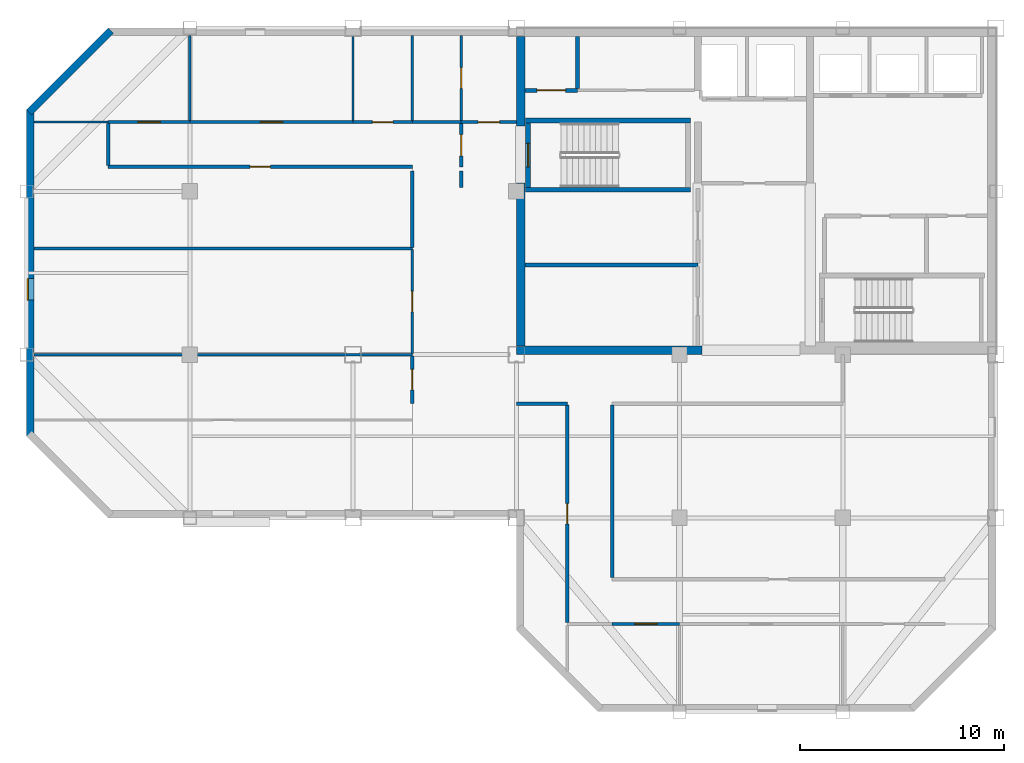
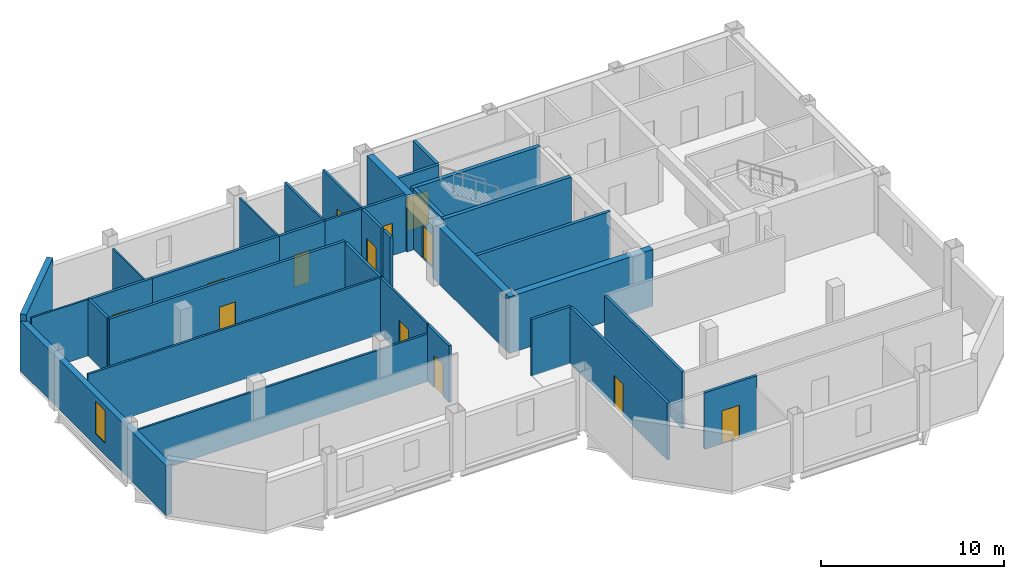
# One storey, part 2 of 7: 34 walls, 13 doors, 1 window, 14 openings.
"""IFC4 building model written with IfcOpenShell, lengths in metres."""

from ifc_helpers import new_model, si_unit, direction, frame, frame_2d, origin, place, context, subcontext, project, spatial, rectangle, extrude, material, layer, layer_set, type_object, element, fill, save


model = new_model("IFC4")

# Units and contexts
model_context = context("Model", 3, precision=1e-05, world=origin(), true_north=direction((0.0, 1.0)))
body_context = subcontext(model_context, "Body", "Model", "MODEL_VIEW")
ifc_project = project(units=[si_unit("LENGTHUNIT", "METRE"), si_unit("AREAUNIT", "SQUARE_METRE"), si_unit("VOLUMEUNIT", "CUBIC_METRE"), si_unit("PLANEANGLEUNIT", "RADIAN"), si_unit("MASSUNIT", "GRAM", prefix="KILO")], contexts=[model_context])

# Site, building, storey
site_placement = place(None, origin())
site = spatial("IfcSite", under=ifc_project, at=site_placement, CompositionType="ELEMENT")
building_placement = place(site_placement, origin())
building = spatial("IfcBuilding", under=site, at=building_placement, Name="Qianrong Seaharbour Tower", CompositionType="ELEMENT")
storey_placement = place(building_placement, frame((0.0, 0.0, 311.199951171875)))
storey = spatial("IfcBuildingStorey", under=building, at=storey_placement, Name="L75", CompositionType="ELEMENT", Elevation=311.199951171875)

# Walls
ifc_material_1 = material(Name="Concrete C50/60", Category="concrete")
ifc_layer_1 = layer(ifc_material_1, 0.419921875)
ifc_layer_set_1 = layer_set([ifc_layer_1], Name="Concrete C50/60")
wall_type_1 = type_object("IfcWallType", Name="WALL-CORE-420", PredefinedType="SHEAR", material=ifc_layer_set_1)
wall_1_placement = place(storey_placement, frame((40.7099609375, 36.419921875, 0.0), z_axis=(0.0, 0.0, 1.0), x_axis=(0.0, 1.0, 0.0)))
element("IfcWall", 1, at=wall_1_placement, inside=storey, type_object=wall_type_1, Name="L75 West Core Shear Wall South", PredefinedType="SHEAR", context=body_context, shape_type="SweptSolid", body=[
    extrude(rectangle(XDim=7.97998046875, YDim=0.419921875, at=frame_2d((3.989990234375, 0.0))), origin(), (0.0, 0.0, 1.0), 3.78515625),
])
wall_2_placement = place(storey_placement, frame((40.7099609375, 47.199951171875, 0.0), z_axis=(0.0, 0.0, 1.0), x_axis=(0.0, 1.0, 0.0)))
element("IfcWall", 2, at=wall_2_placement, inside=storey, type_object=wall_type_1, Name="L75 West Core Shear Wall North", PredefinedType="SHEAR", context=body_context, shape_type="SweptSolid", body=[
    extrude(rectangle(XDim=4.380126953125, YDim=0.419921875, at=frame_2d((2.18994140625, 0.0))), origin(), (0.0, 0.0, 1.0), 3.78515625),
])
wall_3_placement = place(storey_placement, frame((40.5, 36.2099609375, 0.0), z_axis=(0.0, 0.0, 1.0), x_axis=(1.0, 0.0, 0.0)))
element("IfcWall", 3, at=wall_3_placement, inside=storey, type_object=wall_type_1, Name="L75 South Core Shear Wall S1", PredefinedType="SHEAR", context=body_context, shape_type="SweptSolid", body=[
    extrude(rectangle(XDim=9.10009765625, YDim=0.419921875, at=frame_2d((4.550048828125, 0.0))), origin(), (0.0, 0.0, 1.0), 3.78515625),
])

# Wall, opening, door
ifc_material_2 = material(Name="Fire-rated acoustic gypsum board partition")
ifc_layer_2 = layer(ifc_material_2, 0.1650390625)
ifc_layer_set_2 = layer_set([ifc_layer_2], Name="Fire-rated acoustic gypsum board partition")
wall_type_2 = type_object("IfcWallType", Name="WALL-CORR-PART-165", PredefinedType="PARTITIONING", material=ifc_layer_set_2)
wall_4_placement = place(storey_placement, frame((37.800048828125, 47.39990234375, 0.0), z_axis=(0.0, 0.0, 1.0), x_axis=(1.0, 0.0, 0.0)))
wall_4 = element("IfcWall", 4, at=wall_4_placement, inside=storey, type_object=wall_type_2, Name="L75 Interior Partition Wall 001", PredefinedType="PARTITIONING", context=body_context, shape_type="SweptSolid", body=[
    extrude(rectangle(XDim=2.699951171875, YDim=0.1650390625, at=frame_2d((1.35009765625, 0.0))), origin(), (0.0, 0.0, 1.0), 3.78515625),
])
opening_1_placement = place(wall_4_placement, frame((0.824951171875, 0.0, 0.0)))
opening_1 = element("IfcOpeningElement", 5, at=opening_1_placement, cuts=wall_4, Name="Opening DC-01", PredefinedType="OPENING", context=body_context, shape_type="SweptSolid", body=[
    extrude(rectangle(XDim=1.050048828125, YDim=2.14990234375, at=frame_2d((0.52490234375, 1.074951171875))), frame((0.0, 0.092529296875, 0.0), z_axis=(0.0, -1.0, 0.0), x_axis=(1.0, 0.0, 0.0)), (0.0, 0.0, 1.0), 0.18505859375),
])
ifc_material_3 = material(Name="Acoustic timber and galvanized steel fire door assembly", Category="steel")
door_type_1 = type_object("IfcDoorType", Name="DOOR-CORR-FD60-1050x2150", OperationType="NOTDEFINED", PredefinedType="DOOR", material=ifc_material_3)
door_1_placement = place(opening_1_placement, origin())
door_1 = element("IfcDoor", 6, at=door_1_placement, inside=storey, type_object=door_type_1, Name="L75 Smokeproof Stair Vestibule ST-1 Door", OperationType="SINGLE_SWING_RIGHT", OverallHeight=2.14990234375, OverallWidth=1.050048828125, PredefinedType="DOOR", context=body_context, shape_type="SweptSolid", body=[
    extrude(rectangle(XDim=1.050048828125, YDim=2.14990234375, at=frame_2d((0.52490234375, 1.074951171875))), frame((0.0, 0.02490234375, 0.0), z_axis=(0.0, -1.0, 0.0), x_axis=(1.0, 0.0, 0.0)), (0.0, 0.0, 1.0), 0.050048828125),
])
fill(opening_1, door_1)

wall_5_placement = place(storey_placement, frame((37.800048828125, 45.199951171875, 0.0), z_axis=(0.0, 0.0, 1.0), x_axis=(0.0, 1.0, 0.0)))
wall_5 = element("IfcWall", 7, at=wall_5_placement, inside=storey, type_object=wall_type_2, Name="L75 Interior Partition Wall 002", PredefinedType="PARTITIONING", context=body_context, shape_type="SweptSolid", body=[
    extrude(rectangle(XDim=2.12548828125, YDim=0.1650390625, at=frame_2d((1.062744140625, 0.0))), origin(), (0.0, 0.0, 1.0), 3.78515625),
])
opening_2_placement = place(wall_5_placement, frame((0.537841796875, 0.0, 0.0)))
opening_2 = element("IfcOpeningElement", 8, at=opening_2_placement, cuts=wall_5, Name="Opening DC-01", PredefinedType="OPENING", context=body_context, shape_type="SweptSolid", body=[
    extrude(rectangle(XDim=1.050048828125, YDim=2.14990234375, at=frame_2d((0.52490234375, 1.074951171875))), frame((0.0, 0.092529296875, 0.0), z_axis=(0.0, -1.0, 0.0), x_axis=(1.0, 0.0, 0.0)), (0.0, 0.0, 1.0), 0.18505859375),
])
door_2_placement = place(opening_2_placement, origin())
door_2 = element("IfcDoor", 9, at=door_2_placement, inside=storey, type_object=door_type_1, Name="L75 Smokeproof Stair Vestibule ST-1 Door", OperationType="SINGLE_SWING_LEFT", OverallHeight=2.14990234375, OverallWidth=1.050048828125, PredefinedType="DOOR", context=body_context, shape_type="SweptSolid", body=[
    extrude(rectangle(XDim=1.050048828125, YDim=2.14990234375, at=frame_2d((0.52490234375, 1.074951171875))), frame((0.0, 0.02490234375, 0.0), z_axis=(0.0, -1.0, 0.0), x_axis=(1.0, 0.0, 0.0)), (0.0, 0.0, 1.0), 0.050048828125),
])
fill(opening_2, door_2)

# Wall
wall_6_placement = place(storey_placement, frame((37.800048828125, 44.199951171875, 0.0), z_axis=(0.0, 0.0, 1.0), x_axis=(0.0, 1.0, 0.0)))
element("IfcWall", 10, at=wall_6_placement, inside=storey, type_object=wall_type_2, Name="L75 Interior Partition Wall 003", PredefinedType="PARTITIONING", context=body_context, shape_type="SweptSolid", body=[
    extrude(rectangle(XDim=0.800048828125, YDim=0.1650390625, at=frame_2d((0.39990234375, 0.0))), origin(), (0.0, 0.0, 1.0), 3.78515625),
])

# Wall, opening, door
wall_7_placement = place(storey_placement, frame((20.5, 47.39990234375, 0.0), z_axis=(0.0, 0.0, 1.0), x_axis=(1.0, 0.0, 0.0)))
wall_7 = element("IfcWall", 11, at=wall_7_placement, inside=storey, type_object=wall_type_2, Name="L75 Interior Partition Wall 018", PredefinedType="PARTITIONING", context=body_context, shape_type="SweptSolid", body=[
    extrude(rectangle(XDim=4.0, YDim=0.1650390625, at=frame_2d((2.0, 0.0))), origin(), (0.0, 0.0, 1.0), 3.78515625),
])
opening_3_placement = place(wall_7_placement, frame((1.449951171875, 0.0, 0.0)))
opening_3 = element("IfcOpeningElement", 12, at=opening_3_placement, cuts=wall_7, Name="Opening DM-01", PredefinedType="OPENING", context=body_context, shape_type="SweptSolid", body=[
    extrude(rectangle(XDim=1.10009765625, YDim=2.199951171875, at=frame_2d((0.550048828125, 1.10009765625))), frame((0.0, 0.092529296875, 0.0), z_axis=(0.0, -1.0, 0.0), x_axis=(1.0, 0.0, 0.0)), (0.0, 0.0, 1.0), 0.18505859375),
])
door_type_2 = type_object("IfcDoorType", Name="DOOR-MEET-1100x2200", OperationType="NOTDEFINED", PredefinedType="DOOR", material=ifc_material_3)
door_3_placement = place(opening_3_placement, origin())
door_3 = element("IfcDoor", 13, at=door_3_placement, inside=storey, type_object=door_type_2, Name="L75 Boardroom 1 Door", OperationType="SINGLE_SWING_LEFT", OverallHeight=2.199951171875, OverallWidth=1.10009765625, PredefinedType="DOOR", context=body_context, shape_type="SweptSolid", body=[
    extrude(rectangle(XDim=1.10009765625, YDim=2.199951171875, at=frame_2d((0.550048828125, 1.10009765625))), frame((0.0, 0.02490234375, 0.0), z_axis=(0.0, -1.0, 0.0), x_axis=(1.0, 0.0, 0.0)), (0.0, 0.0, 1.0), 0.050048828125),
])
fill(opening_3, door_3)

wall_8_placement = place(storey_placement, frame((24.5, 47.39990234375, 0.0), z_axis=(0.0, 0.0, 1.0), x_axis=(1.0, 0.0, 0.0)))
wall_8 = element("IfcWall", 14, at=wall_8_placement, inside=storey, type_object=wall_type_2, Name="L75 Interior Partition Wall 019", PredefinedType="PARTITIONING", context=body_context, shape_type="SweptSolid", body=[
    extrude(rectangle(XDim=8.0, YDim=0.1650390625, at=frame_2d((4.0, 0.0))), origin(), (0.0, 0.0, 1.0), 3.78515625),
])
opening_4_placement = place(wall_8_placement, frame((3.449951171875, 0.0, 0.0)))
opening_4 = element("IfcOpeningElement", 15, at=opening_4_placement, cuts=wall_8, Name="Opening DM-01", PredefinedType="OPENING", context=body_context, shape_type="SweptSolid", body=[
    extrude(rectangle(XDim=1.10009765625, YDim=2.199951171875, at=frame_2d((0.550048828125, 1.10009765625))), frame((0.0, 0.092529296875, 0.0), z_axis=(0.0, -1.0, 0.0), x_axis=(1.0, 0.0, 0.0)), (0.0, 0.0, 1.0), 0.18505859375),
])
door_4_placement = place(opening_4_placement, origin())
door_4 = element("IfcDoor", 16, at=door_4_placement, inside=storey, type_object=door_type_2, Name="L75 Meeting Room 2 Door", OperationType="SINGLE_SWING_RIGHT", OverallHeight=2.199951171875, OverallWidth=1.10009765625, PredefinedType="DOOR", context=body_context, shape_type="SweptSolid", body=[
    extrude(rectangle(XDim=1.10009765625, YDim=2.199951171875, at=frame_2d((0.550048828125, 1.10009765625))), frame((0.0, 0.02490234375, 0.0), z_axis=(0.0, -1.0, 0.0), x_axis=(1.0, 0.0, 0.0)), (0.0, 0.0, 1.0), 0.050048828125),
])
fill(opening_4, door_4)

wall_9_placement = place(storey_placement, frame((32.5, 47.39990234375, 0.0), z_axis=(0.0, 0.0, 1.0), x_axis=(1.0, 0.0, 0.0)))
wall_9 = element("IfcWall", 17, at=wall_9_placement, inside=storey, type_object=wall_type_2, Name="L75 Interior Partition Wall 020", PredefinedType="PARTITIONING", context=body_context, shape_type="SweptSolid", body=[
    extrude(rectangle(XDim=2.89990234375, YDim=0.1650390625, at=frame_2d((1.449951171875, 0.0))), origin(), (0.0, 0.0, 1.0), 3.78515625),
])
opening_5_placement = place(wall_9_placement, frame((0.949951171875, 0.0, 0.0)))
opening_5 = element("IfcOpeningElement", 18, at=opening_5_placement, cuts=wall_9, Name="Opening DO-01", PredefinedType="OPENING", context=body_context, shape_type="SweptSolid", body=[
    extrude(rectangle(XDim=1.0, YDim=2.14990234375, at=frame_2d((0.5, 1.074951171875))), frame((0.0, 0.092529296875, 0.0), z_axis=(0.0, -1.0, 0.0), x_axis=(1.0, 0.0, 0.0)), (0.0, 0.0, 1.0), 0.18505859375),
])
door_type_3 = type_object("IfcDoorType", Name="DOOR-OFFICE-1000x2150", OperationType="NOTDEFINED", PredefinedType="DOOR", material=ifc_material_3)
door_5_placement = place(opening_5_placement, origin())
door_5 = element("IfcDoor", 19, at=door_5_placement, inside=storey, type_object=door_type_3, Name="L75 Project Library 3 Door", OperationType="SINGLE_SWING_LEFT", OverallHeight=2.14990234375, OverallWidth=1.0, PredefinedType="DOOR", context=body_context, shape_type="SweptSolid", body=[
    extrude(rectangle(XDim=1.0, YDim=2.14990234375, at=frame_2d((0.5, 1.074951171875))), frame((0.0, 0.02490234375, 0.0), z_axis=(0.0, -1.0, 0.0), x_axis=(1.0, 0.0, 0.0)), (0.0, 0.0, 1.0), 0.050048828125),
])
fill(opening_5, door_5)

wall_10_placement = place(storey_placement, frame((35.39990234375, 45.199951171875, 0.0), z_axis=(0.0, 0.0, 1.0), x_axis=(-1.0, 0.0, 0.0)))
wall_10 = element("IfcWall", 20, at=wall_10_placement, inside=storey, type_object=wall_type_2, Name="L75 Interior Partition Wall 021", PredefinedType="PARTITIONING", context=body_context, shape_type="SweptSolid", body=[
    extrude(rectangle(XDim=14.89990234375, YDim=0.1650390625, at=frame_2d((7.449951171875, 0.0))), origin(), (0.0, 0.0, 1.0), 3.78515625),
])
opening_6_placement = place(wall_10_placement, frame((6.949951171875, 0.0, 0.0)))
opening_6 = element("IfcOpeningElement", 21, at=opening_6_placement, cuts=wall_10, Name="Opening DO-01", PredefinedType="OPENING", context=body_context, shape_type="SweptSolid", body=[
    extrude(rectangle(XDim=1.0, YDim=2.14990234375, at=frame_2d((0.5, 1.074951171875))), frame((0.0, 0.092529296875, 0.0), z_axis=(0.0, -1.0, 0.0), x_axis=(1.0, 0.0, 0.0)), (0.0, 0.0, 1.0), 0.18505859375),
])
door_6_placement = place(opening_6_placement, origin())
door_6 = element("IfcDoor", 22, at=door_6_placement, inside=storey, type_object=door_type_3, Name="L75 Harbour Lecture Hall 4 Door", OperationType="SINGLE_SWING_LEFT", OverallHeight=2.14990234375, OverallWidth=1.0, PredefinedType="DOOR", context=body_context, shape_type="SweptSolid", body=[
    extrude(rectangle(XDim=1.0, YDim=2.14990234375, at=frame_2d((0.5, 1.074951171875))), frame((0.0, 0.02490234375, 0.0), z_axis=(0.0, -1.0, 0.0), x_axis=(1.0, 0.0, 0.0)), (0.0, 0.0, 1.0), 0.050048828125),
])
fill(opening_6, door_6)

# Wall
wall_11_placement = place(storey_placement, frame((20.5, 45.2744140625, 0.0), z_axis=(0.0, 0.0, 1.0), x_axis=(0.0, 1.0, 0.0)))
element("IfcWall", 23, at=wall_11_placement, inside=storey, type_object=wall_type_2, Name="L75 Interior Partition Wall 022", PredefinedType="PARTITIONING", context=body_context, shape_type="SweptSolid", body=[
    extrude(rectangle(XDim=2.051025390625, YDim=0.1650390625, at=frame_2d((1.025390625, 0.0))), origin(), (0.0, 0.0, 1.0), 3.78515625),
])

# Wall, opening, door
wall_12_placement = place(storey_placement, frame((35.39990234375, 33.60009765625, 0.0), z_axis=(0.0, 0.0, 1.0), x_axis=(0.0, 1.0, 0.0)))
wall_12 = element("IfcWall", 24, at=wall_12_placement, inside=storey, type_object=wall_type_2, Name="L75 Interior Partition Wall 023", PredefinedType="PARTITIONING", context=body_context, shape_type="SweptSolid", body=[
    extrude(rectangle(XDim=2.343017578125, YDim=0.1650390625, at=frame_2d((1.17138671875, 0.0))), origin(), (0.0, 0.0, 1.0), 3.78515625),
])
opening_7_placement = place(wall_12_placement, frame((0.67138671875, 0.0, 0.0)))
opening_7 = element("IfcOpeningElement", 25, at=opening_7_placement, cuts=wall_12, Name="Opening DO-01", PredefinedType="OPENING", context=body_context, shape_type="SweptSolid", body=[
    extrude(rectangle(XDim=1.0, YDim=2.14990234375, at=frame_2d((0.5, 1.074951171875))), frame((0.0, 0.092529296875, 0.0), z_axis=(0.0, -1.0, 0.0), x_axis=(1.0, 0.0, 0.0)), (0.0, 0.0, 1.0), 0.18505859375),
])
door_7_placement = place(opening_7_placement, origin())
door_7 = element("IfcDoor", 26, at=door_7_placement, inside=storey, type_object=door_type_3, Name="L75 Division Conference Gallery 2 Door", OperationType="SINGLE_SWING_LEFT", OverallHeight=2.14990234375, OverallWidth=1.0, PredefinedType="DOOR", context=body_context, shape_type="SweptSolid", body=[
    extrude(rectangle(XDim=1.0, YDim=2.14990234375, at=frame_2d((0.5, 1.074951171875))), frame((0.0, 0.02490234375, 0.0), z_axis=(0.0, -1.0, 0.0), x_axis=(1.0, 0.0, 0.0)), (0.0, 0.0, 1.0), 0.050048828125),
])
fill(opening_7, door_7)

# Walls
wall_13_placement = place(storey_placement, frame((35.39990234375, 41.257080078125, 0.0), z_axis=(0.0, 0.0, 1.0), x_axis=(0.0, 1.0, 0.0)))
element("IfcWall", 27, at=wall_13_placement, inside=storey, type_object=wall_type_2, Name="L75 Interior Partition Wall 025", PredefinedType="PARTITIONING", context=body_context, shape_type="SweptSolid", body=[
    extrude(rectangle(XDim=3.742919921875, YDim=0.1650390625, at=frame_2d((1.87158203125, 0.0))), origin(), (0.0, 0.0, 1.0), 3.78515625),
])
wall_14_placement = place(storey_placement, frame((43.0, 33.60009765625, 0.0), z_axis=(0.0, 0.0, 1.0), x_axis=(-1.0, 0.0, 0.0)))
element("IfcWall", 28, at=wall_14_placement, inside=storey, type_object=wall_type_2, Name="L75 Interior Partition Wall 028", PredefinedType="PARTITIONING", context=body_context, shape_type="SweptSolid", body=[
    extrude(rectangle(XDim=2.5, YDim=0.1650390625, at=frame_2d((1.25, 0.0))), origin(), (0.0, 0.0, 1.0), 3.78515625),
])
wall_15_placement = place(storey_placement, frame((45.199951171875, 33.525390625, 0.0), z_axis=(0.0, 0.0, 1.0), x_axis=(0.0, -1.0, 0.0)))
element("IfcWall", 29, at=wall_15_placement, inside=storey, type_object=wall_type_2, Name="L75 Interior Partition Wall 029", PredefinedType="PARTITIONING", context=body_context, shape_type="SweptSolid", body=[
    extrude(rectangle(XDim=8.450927734375, YDim=0.1650390625, at=frame_2d((4.2255859375, 0.0))), origin(), (0.0, 0.0, 1.0), 3.78515625),
])

# Wall, opening, door
wall_16_placement = place(storey_placement, frame((43.0, 22.87451171875, 0.0), z_axis=(0.0, 0.0, 1.0), x_axis=(0.0, 1.0, 0.0)))
wall_16 = element("IfcWall", 30, at=wall_16_placement, inside=storey, type_object=wall_type_2, Name="L75 Interior Partition Wall 030", PredefinedType="PARTITIONING", context=body_context, shape_type="SweptSolid", body=[
    extrude(rectangle(XDim=10.65087890625, YDim=0.1650390625, at=frame_2d((5.325439453125, 0.0))), origin(), (0.0, 0.0, 1.0), 3.78515625),
])
opening_8_placement = place(wall_16_placement, frame((4.825439453125, 0.0, 0.0)))
opening_8 = element("IfcOpeningElement", 31, at=opening_8_placement, cuts=wall_16, Name="Opening DO-01", PredefinedType="OPENING", context=body_context, shape_type="SweptSolid", body=[
    extrude(rectangle(XDim=1.0, YDim=2.14990234375, at=frame_2d((0.5, 1.074951171875))), frame((0.0, 0.092529296875, 0.0), z_axis=(0.0, -1.0, 0.0), x_axis=(1.0, 0.0, 0.0)), (0.0, 0.0, 1.0), 0.18505859375),
])
door_8_placement = place(opening_8_placement, origin())
door_8 = element("IfcDoor", 32, at=door_8_placement, inside=storey, type_object=door_type_3, Name="L75 West Spine Open-Plan Office Door", OperationType="SINGLE_SWING_RIGHT", OverallHeight=2.14990234375, OverallWidth=1.0, PredefinedType="DOOR", context=body_context, shape_type="SweptSolid", body=[
    extrude(rectangle(XDim=1.0, YDim=2.14990234375, at=frame_2d((0.5, 1.074951171875))), frame((0.0, 0.02490234375, 0.0), z_axis=(0.0, -1.0, 0.0), x_axis=(1.0, 0.0, 0.0)), (0.0, 0.0, 1.0), 0.050048828125),
])
fill(opening_8, door_8)

wall_17_placement = place(storey_placement, frame((48.5, 22.800048828125, 0.0), z_axis=(0.0, 0.0, 1.0), x_axis=(-1.0, 0.0, 0.0)))
wall_17 = element("IfcWall", 33, at=wall_17_placement, inside=storey, type_object=wall_type_2, Name="L75 Interior Partition Wall 033", PredefinedType="PARTITIONING", context=body_context, shape_type="SweptSolid", body=[
    extrude(rectangle(XDim=3.300048828125, YDim=0.1650390625, at=frame_2d((1.64990234375, 0.0))), origin(), (0.0, 0.0, 1.0), 3.78515625),
])
opening_9_placement = place(wall_17_placement, frame((1.10009765625, 0.0, 0.0)))
opening_9 = element("IfcOpeningElement", 34, at=opening_9_placement, cuts=wall_17, Name="Opening DM-01", PredefinedType="OPENING", context=body_context, shape_type="SweptSolid", body=[
    extrude(rectangle(XDim=1.10009765625, YDim=2.199951171875, at=frame_2d((0.550048828125, 1.10009765625))), frame((0.0, 0.092529296875, 0.0), z_axis=(0.0, -1.0, 0.0), x_axis=(1.0, 0.0, 0.0)), (0.0, 0.0, 1.0), 0.18505859375),
])
door_9_placement = place(opening_9_placement, origin())
door_9 = element("IfcDoor", 35, at=door_9_placement, inside=storey, type_object=door_type_2, Name="L75 Maritime Seminar Room 1 Door", OperationType="SINGLE_SWING_RIGHT", OverallHeight=2.199951171875, OverallWidth=1.10009765625, PredefinedType="DOOR", context=body_context, shape_type="SweptSolid", body=[
    extrude(rectangle(XDim=1.10009765625, YDim=2.199951171875, at=frame_2d((0.550048828125, 1.10009765625))), frame((0.0, 0.02490234375, 0.0), z_axis=(0.0, -1.0, 0.0), x_axis=(1.0, 0.0, 0.0)), (0.0, 0.0, 1.0), 0.050048828125),
])
fill(opening_9, door_9)

# Walls
ifc_material_4 = material(Name="Demountable aluminium-framed acoustic office partition", Category="aluminium")
ifc_layer_3 = layer(ifc_material_4, 0.110107421875)
ifc_layer_set_3 = layer_set([ifc_layer_3], Name="Demountable aluminium-framed acoustic office partition")
wall_type_3 = type_object("IfcWallType", Name="WALL-DEMOUNT-110", PredefinedType="MOVABLE", material=ifc_layer_set_3)
wall_18_placement = place(storey_placement, frame((24.5, 51.64794921875, 0.0), z_axis=(0.0, 0.0, 1.0), x_axis=(0.0, -1.0, 0.0)))
element("IfcWall", 36, at=wall_18_placement, inside=storey, type_object=wall_type_3, Name="L75 Interior Partition Wall 037", PredefinedType="MOVABLE", context=body_context, shape_type="SweptSolid", body=[
    extrude(rectangle(XDim=4.17333984375, YDim=0.110107421875, at=frame_2d((2.086669921875, 0.0))), origin(), (0.0, 0.0, 1.0), 3.177001953125),
])
wall_19_placement = place(storey_placement, frame((20.5, 47.39990234375, 0.0), z_axis=(0.0, 0.0, 1.0), x_axis=(-1.0, 0.0, 0.0)))
element("IfcWall", 37, at=wall_19_placement, inside=storey, type_object=wall_type_3, Name="L75 Interior Partition Wall 038", PredefinedType="MOVABLE", context=body_context, shape_type="SweptSolid", body=[
    extrude(rectangle(XDim=3.64794921875, YDim=0.110107421875, at=frame_2d((1.823974609375, 0.0))), origin(), (0.0, 0.0, 1.0), 3.78515625),
])
wall_20_placement = place(storey_placement, frame((32.5, 51.64794921875, 0.0), z_axis=(0.0, 0.0, 1.0), x_axis=(0.0, -1.0, 0.0)))
element("IfcWall", 38, at=wall_20_placement, inside=storey, type_object=wall_type_3, Name="L75 Interior Partition Wall 039", PredefinedType="MOVABLE", context=body_context, shape_type="SweptSolid", body=[
    extrude(rectangle(XDim=4.17333984375, YDim=0.110107421875, at=frame_2d((2.086669921875, 0.0))), origin(), (0.0, 0.0, 1.0), 3.78515625),
])

# Wall, opening, window
ifc_material_5 = material(Name="Unitised red brick on Precast concrete C45/55", Category="masonry")
ifc_layer_4 = layer(ifc_material_5, 0.360107421875)
ifc_layer_set_4 = layer_set([ifc_layer_4], Name="Unitised red brick on Precast concrete C45/55")
wall_type_4 = type_object("IfcWallType", Name="WALL-EXT-BRICK-RED-360", PredefinedType="SOLIDWALL", material=ifc_layer_set_4)
wall_21_placement = place(storey_placement, frame((16.679931640625, 32.0, 0.0), z_axis=(0.0, 0.0, 1.0), x_axis=(0.0, 1.0, 0.0)))
wall_21 = element("IfcWall", 39, at=wall_21_placement, inside=storey, type_object=wall_type_4, Name="L75 Exterior Masonry Facade Wall WEST_TIP", PredefinedType="SOLIDWALL", context=body_context, shape_type="SweptSolid", body=[
    extrude(rectangle(XDim=16.0, YDim=0.360107421875, at=frame_2d((8.0, 0.0))), origin(), (0.0, 0.0, 1.0), 3.3349609375),
])
opening_10_placement = place(wall_21_placement, frame((6.675048828125, 0.0, 0.800048828125)))
opening_10 = element("IfcOpeningElement", 40, at=opening_10_placement, cuts=wall_21, Name="Opening WN-14", PredefinedType="OPENING", context=body_context, shape_type="SweptSolid", body=[
    extrude(rectangle(XDim=1.050048828125, YDim=2.14990234375, at=frame_2d((0.52490234375, 1.074951171875))), frame((0.0, 0.18994140625, 0.0), z_axis=(0.0, -1.0, 0.0), x_axis=(1.0, 0.0, 0.0)), (0.0, 0.0, 1.0), 0.380126953125),
])
ifc_material_6 = material(Name="Insulated low-e double glazing in thermally broken aluminium 6063-T6 frame", Category="aluminium")
window_type = type_object("IfcWindowType", Name="WIN-NARROW-1050x2150", PartitioningType="SINGLE_PANEL", PredefinedType="WINDOW", material=ifc_material_6)
window_placement = place(opening_10_placement, origin())
window = element("IfcWindow", 41, at=window_placement, inside=storey, type_object=window_type, Name="L75 Deep-Set Punched Window 03.02", OverallHeight=2.14990234375, OverallWidth=1.050048828125, PartitioningType="SINGLE_PANEL", PredefinedType="WINDOW", context=body_context, shape_type="SweptSolid", body=[
    extrude(rectangle(XDim=1.050048828125, YDim=2.14990234375, at=frame_2d((0.52490234375, 1.074951171875))), frame((0.0, 0.150146484375, 0.0), z_axis=(0.0, -1.0, 0.0), x_axis=(1.0, 0.0, 0.0)), (0.0, 0.0, 1.0), 0.06005859375),
])
fill(opening_10, window)

# Wall
wall_22_placement = place(storey_placement, frame((16.627197265625, 47.872802734375, 0.0), z_axis=(0.0, 0.0, 1.0), x_axis=(0.707106781187, 0.707106781187, 0.0)))
element("IfcWall", 42, at=wall_22_placement, inside=storey, type_object=wall_type_4, Name="L75 Exterior Masonry Facade Wall E04", PredefinedType="SOLIDWALL", context=body_context, shape_type="SweptSolid", body=[
    extrude(rectangle(XDim=5.65673828125, YDim=0.360107421875, at=frame_2d((2.828369140625, 0.0))), origin(), (0.0, 0.0, 1.0), 3.78515625),
])

# Wall, opening, door
ifc_material_7 = material(Name="Double fire-rated gypsum board acoustic partition")
ifc_layer_5 = layer(ifc_material_7, 0.18994140625)
ifc_layer_set_5 = layer_set([ifc_layer_5], Name="Double fire-rated gypsum board acoustic partition")
wall_type_5 = type_object("IfcWallType", Name="WALL-FIRE-PART-190", PredefinedType="PARTITIONING", material=ifc_layer_set_5)
wall_23_placement = place(storey_placement, frame((40.919921875, 48.949951171875, 0.0), z_axis=(0.0, 0.0, 1.0), x_axis=(1.0, 0.0, 0.0)))
wall_23 = element("IfcWall", 43, at=wall_23_placement, inside=storey, type_object=wall_type_5, Name="L75 Interior Partition Wall 007", PredefinedType="PARTITIONING", context=body_context, shape_type="SweptSolid", body=[
    extrude(rectangle(XDim=2.580078125, YDim=0.18994140625, at=frame_2d((1.2900390625, 0.0))), origin(), (0.0, 0.0, 1.0), 3.78515625),
])
opening_11_placement = place(wall_23_placement, frame((0.590087890625, 0.0, 0.0)))
opening_11 = element("IfcOpeningElement", 44, at=opening_11_placement, cuts=wall_23, Name="Opening DP-01", PredefinedType="OPENING", context=body_context, shape_type="SweptSolid", body=[
    extrude(rectangle(XDim=1.39990234375, YDim=2.25, at=frame_2d((0.699951171875, 1.125))), frame((0.0, 0.10498046875, 0.0), z_axis=(0.0, -1.0, 0.0), x_axis=(1.0, 0.0, 0.0)), (0.0, 0.0, 1.0), 0.2099609375),
])
door_type_4 = type_object("IfcDoorType", Name="DOOR-PLANT-PAIR-1400x2250", OperationType="DOUBLE_DOOR_SINGLE_SWING", PredefinedType="DOOR", material=ifc_material_3)
door_10_placement = place(opening_11_placement, origin())
door_10 = element("IfcDoor", 45, at=door_10_placement, inside=storey, type_object=door_type_4, Name="L75 Core Electrical Closet Door", OperationType="DOUBLE_DOOR_SINGLE_SWING", OverallHeight=2.25, OverallWidth=1.39990234375, PredefinedType="DOOR", context=body_context, shape_type="SweptSolid", body=[
    extrude(rectangle(XDim=1.39990234375, YDim=2.25, at=frame_2d((0.699951171875, 1.125))), frame((0.0, 0.02490234375, 0.0), z_axis=(0.0, -1.0, 0.0), x_axis=(1.0, 0.0, 0.0)), (0.0, 0.0, 1.0), 0.050048828125),
])
fill(opening_11, door_10)

# Walls
wall_24_placement = place(storey_placement, frame((40.919921875, 40.39990234375, 0.0), z_axis=(0.0, 0.0, 1.0), x_axis=(1.0, 0.0, 0.0)))
element("IfcWall", 46, at=wall_24_placement, inside=storey, type_object=wall_type_5, Name="L75 Interior Partition Wall 013", PredefinedType="PARTITIONING", context=body_context, shape_type="SweptSolid", body=[
    extrude(rectangle(XDim=8.47998046875, YDim=0.18994140625, at=frame_2d((4.239990234375, 0.0))), origin(), (0.0, 0.0, 1.0), 3.78515625),
])
wall_25_placement = place(storey_placement, frame((43.5, 51.580078125, 0.0), z_axis=(0.0, 0.0, 1.0), x_axis=(0.0, -1.0, 0.0)))
element("IfcWall", 47, at=wall_25_placement, inside=storey, type_object=wall_type_5, Name="L75 Interior Partition Wall 016", PredefinedType="PARTITIONING", context=body_context, shape_type="SweptSolid", body=[
    extrude(rectangle(XDim=2.54296875, YDim=0.18994140625, at=frame_2d((1.271484375, 0.0))), origin(), (0.0, 0.0, 1.0), 3.78515625),
])
ifc_layer_6 = layer(ifc_material_1, 0.239990234375)
ifc_layer_set_6 = layer_set([ifc_layer_6], Name="Concrete C50/60")
wall_type_6 = type_object("IfcWallType", Name="WALL-SHAFT-RC240", PredefinedType="SOLIDWALL", material=ifc_layer_set_6)
for number, where, z_axis, x_axis, name in (
    (48, (40.9599609375, 47.469970703125, 0.0), (0.0, 0.0, 1.0), (1.0, 0.0, 0.0), "L75 ST-1 Structural Stair Core Wall N"),
    (49, (49.0400390625, 44.080078125, 0.0), (0.0, 0.0, 1.0), (-1.0, 0.0, 0.0), "L75 ST-1 Structural Stair Core Wall S"),
):
    element("IfcWall", number, at=place(storey_placement, frame(where, z_axis=z_axis, x_axis=x_axis)), inside=storey, type_object=wall_type_6, Name=name, PredefinedType="SOLIDWALL", context=body_context, shape_type="SweptSolid", body=[
        extrude(rectangle(XDim=8.080078125, YDim=0.239990234375, at=frame_2d((4.0400390625, 0.0))), origin(), (0.0, 0.0, 1.0), 4.0),
    ])

# Wall, opening, door
wall_26_placement = place(storey_placement, frame((41.080078125, 47.35009765625, 0.0), z_axis=(0.0, 0.0, 1.0), x_axis=(0.0, -1.0, 0.0)))
wall_26 = element("IfcWall", 50, at=wall_26_placement, inside=storey, type_object=wall_type_6, Name="L75 ST-1 Structural Stair Core Wall W", PredefinedType="SOLIDWALL", context=body_context, shape_type="SweptSolid", body=[
    extrude(rectangle(XDim=3.150146484375, YDim=0.239990234375, at=frame_2d((1.5751953125, 0.0))), origin(), (0.0, 0.0, 1.0), 4.0),
])
opening_12_placement = place(wall_26_placement, frame((1.0, 0.0, 0.0)))
opening_12 = element("IfcOpeningElement", 51, at=opening_12_placement, cuts=wall_26, Name="Opening SD-01", PredefinedType="OPENING", context=body_context, shape_type="SweptSolid", body=[
    extrude(rectangle(XDim=1.14990234375, YDim=2.199951171875, at=frame_2d((0.574951171875, 1.10009765625))), frame((0.0, 0.1298828125, 0.0), z_axis=(0.0, -1.0, 0.0), x_axis=(1.0, 0.0, 0.0)), (0.0, 0.0, 1.0), 0.260009765625),
])
door_type_5 = type_object("IfcDoorType", Name="DOOR-STAIR-FD60-1150x2200", OperationType="NOTDEFINED", PredefinedType="DOOR", material=ifc_material_3)
door_11_placement = place(opening_12_placement, origin())
door_11 = element("IfcDoor", 52, at=door_11_placement, inside=storey, type_object=door_type_5, Name="L75 ST-1 Protected Stair Door", OperationType="SINGLE_SWING_RIGHT", OverallHeight=2.199951171875, OverallWidth=1.14990234375, PredefinedType="DOOR", context=body_context, shape_type="SweptSolid", body=[
    extrude(rectangle(XDim=1.14990234375, YDim=2.199951171875, at=frame_2d((0.574951171875, 1.10009765625))), frame((0.0, 0.02490234375, 0.0), z_axis=(0.0, -1.0, 0.0), x_axis=(1.0, 0.0, 0.0)), (0.0, 0.0, 1.0), 0.050048828125),
])
fill(opening_12, door_11)

ifc_material_8 = material(Name="Water-resistant cement board sanitary partition")
ifc_layer_7 = layer(ifc_material_8, 0.1298828125)
ifc_layer_set_7 = layer_set([ifc_layer_7], Name="Water-resistant cement board sanitary partition")
wall_type_7 = type_object("IfcWallType", Name="WALL-WET-PART-130", PredefinedType="PARTITIONING", material=ifc_layer_set_7)
wall_27_placement = place(storey_placement, frame((37.800048828125, 47.474609375, 0.0), z_axis=(0.0, 0.0, 1.0), x_axis=(0.0, 1.0, 0.0)))
wall_27 = element("IfcWall", 53, at=wall_27_placement, inside=storey, type_object=wall_type_7, Name="L75 Interior Partition Wall 004", PredefinedType="PARTITIONING", context=body_context, shape_type="SweptSolid", body=[
    extrude(rectangle(XDim=4.17333984375, YDim=0.1298828125, at=frame_2d((2.086669921875, 0.0))), origin(), (0.0, 0.0, 1.0), 3.78515625),
])
opening_13_placement = place(wall_27_placement, frame((1.57666015625, 0.0, 0.0)))
opening_13 = element("IfcOpeningElement", 54, at=opening_13_placement, cuts=wall_27, Name="Opening DAW-01", PredefinedType="OPENING", context=body_context, shape_type="SweptSolid", body=[
    extrude(rectangle(XDim=1.02001953125, YDim=2.14990234375, at=frame_2d((0.510009765625, 1.074951171875))), frame((0.0, 0.074951171875, 0.0), z_axis=(0.0, -1.0, 0.0), x_axis=(1.0, 0.0, 0.0)), (0.0, 0.0, 1.0), 0.14990234375),
])
door_type_6 = type_object("IfcDoorType", Name="DOOR-AWC-SLIDE-1020x2150", OperationType="SLIDING_TO_LEFT", PredefinedType="DOOR", material=ifc_material_3)
door_12_placement = place(opening_13_placement, origin())
door_12 = element("IfcDoor", 55, at=door_12_placement, inside=storey, type_object=door_type_6, Name="L75 Accessible Restroom WC Door", OperationType="SLIDING_TO_LEFT", OverallHeight=2.14990234375, OverallWidth=1.02001953125, PredefinedType="DOOR", context=body_context, shape_type="SweptSolid", body=[
    extrude(rectangle(XDim=1.02001953125, YDim=2.14990234375, at=frame_2d((0.510009765625, 1.074951171875))), frame((0.0, 0.02490234375, 0.0), z_axis=(0.0, -1.0, 0.0), x_axis=(1.0, 0.0, 0.0)), (0.0, 0.0, 1.0), 0.050048828125),
])
fill(opening_13, door_12)

# Walls
wall_28_placement = place(storey_placement, frame((37.800048828125, 47.39990234375, 0.0), z_axis=(0.0, 0.0, 1.0), x_axis=(-1.0, 0.0, 0.0)))
element("IfcWall", 56, at=wall_28_placement, inside=storey, type_object=wall_type_7, Name="L75 Interior Partition Wall 005", PredefinedType="PARTITIONING", context=body_context, shape_type="SweptSolid", body=[
    extrude(rectangle(XDim=2.400146484375, YDim=0.1298828125, at=frame_2d((1.2001953125, 0.0))), origin(), (0.0, 0.0, 1.0), 3.78515625),
])
wall_29_placement = place(storey_placement, frame((35.39990234375, 47.474609375, 0.0), z_axis=(0.0, 0.0, 1.0), x_axis=(0.0, 1.0, 0.0)))
element("IfcWall", 57, at=wall_29_placement, inside=storey, type_object=wall_type_7, Name="L75 Interior Partition Wall 006", PredefinedType="PARTITIONING", context=body_context, shape_type="SweptSolid", body=[
    extrude(rectangle(XDim=4.17333984375, YDim=0.1298828125, at=frame_2d((2.086669921875, 0.0))), origin(), (0.0, 0.0, 1.0), 3.78515625),
])

# Wall, opening, door
wall_30_placement = place(storey_placement, frame((35.39990234375, 36.056884765625, 0.0), z_axis=(0.0, 0.0, 1.0), x_axis=(0.0, 1.0, 0.0)))
wall_30 = element("IfcWall", 58, at=wall_30_placement, inside=storey, type_object=wall_type_7, Name="L75 Interior Partition Wall 024", PredefinedType="PARTITIONING", context=body_context, shape_type="SweptSolid", body=[
    extrude(rectangle(XDim=5.086181640625, YDim=0.1298828125, at=frame_2d((2.54296875, 0.0))), origin(), (0.0, 0.0, 1.0), 3.78515625),
])
opening_14_placement = place(wall_30_placement, frame((2.04296875, 0.0, 0.0)))
opening_14 = element("IfcOpeningElement", 59, at=opening_14_placement, cuts=wall_30, Name="Opening DO-01", PredefinedType="OPENING", context=body_context, shape_type="SweptSolid", body=[
    extrude(rectangle(XDim=1.0, YDim=2.14990234375, at=frame_2d((0.5, 1.074951171875))), frame((0.0, 0.074951171875, 0.0), z_axis=(0.0, -1.0, 0.0), x_axis=(1.0, 0.0, 0.0)), (0.0, 0.0, 1.0), 0.14990234375),
])
door_13_placement = place(opening_14_placement, origin())
door_13 = element("IfcDoor", 60, at=door_13_placement, inside=storey, type_object=door_type_3, Name="L75 Wet Pantry 3 Door", OperationType="SINGLE_SWING_RIGHT", OverallHeight=2.14990234375, OverallWidth=1.0, PredefinedType="DOOR", context=body_context, shape_type="SweptSolid", body=[
    extrude(rectangle(XDim=1.0, YDim=2.14990234375, at=frame_2d((0.5, 1.074951171875))), frame((0.0, 0.02490234375, 0.0), z_axis=(0.0, -1.0, 0.0), x_axis=(1.0, 0.0, 0.0)), (0.0, 0.0, 1.0), 0.050048828125),
])
fill(opening_14, door_13)

# Walls
wall_31_placement = place(storey_placement, frame((16.85205078125, 36.0, 0.0), z_axis=(0.0, 0.0, 1.0), x_axis=(1.0, 0.0, 0.0)))
element("IfcWall", 61, at=wall_31_placement, inside=storey, type_object=wall_type_7, Name="L75 Interior Partition Wall 041", PredefinedType="PARTITIONING", context=body_context, shape_type="SweptSolid", body=[
    extrude(rectangle(XDim=18.5478515625, YDim=0.1298828125, at=frame_2d((9.27392578125, 0.0))), origin(), (0.0, 0.0, 1.0), 3.177001953125),
])
wall_32_placement = place(storey_placement, frame((16.85205078125, 41.199951171875, 0.0), z_axis=(0.0, 0.0, 1.0), x_axis=(1.0, 0.0, 0.0)))
element("IfcWall", 62, at=wall_32_placement, inside=storey, type_object=wall_type_7, Name="L75 Interior Partition Wall 042", PredefinedType="PARTITIONING", context=body_context, shape_type="SweptSolid", body=[
    extrude(rectangle(XDim=18.5478515625, YDim=0.1298828125, at=frame_2d((9.27392578125, 0.0))), origin(), (0.0, 0.0, 1.0), 3.78515625),
])

save(model, "model.ifc")
